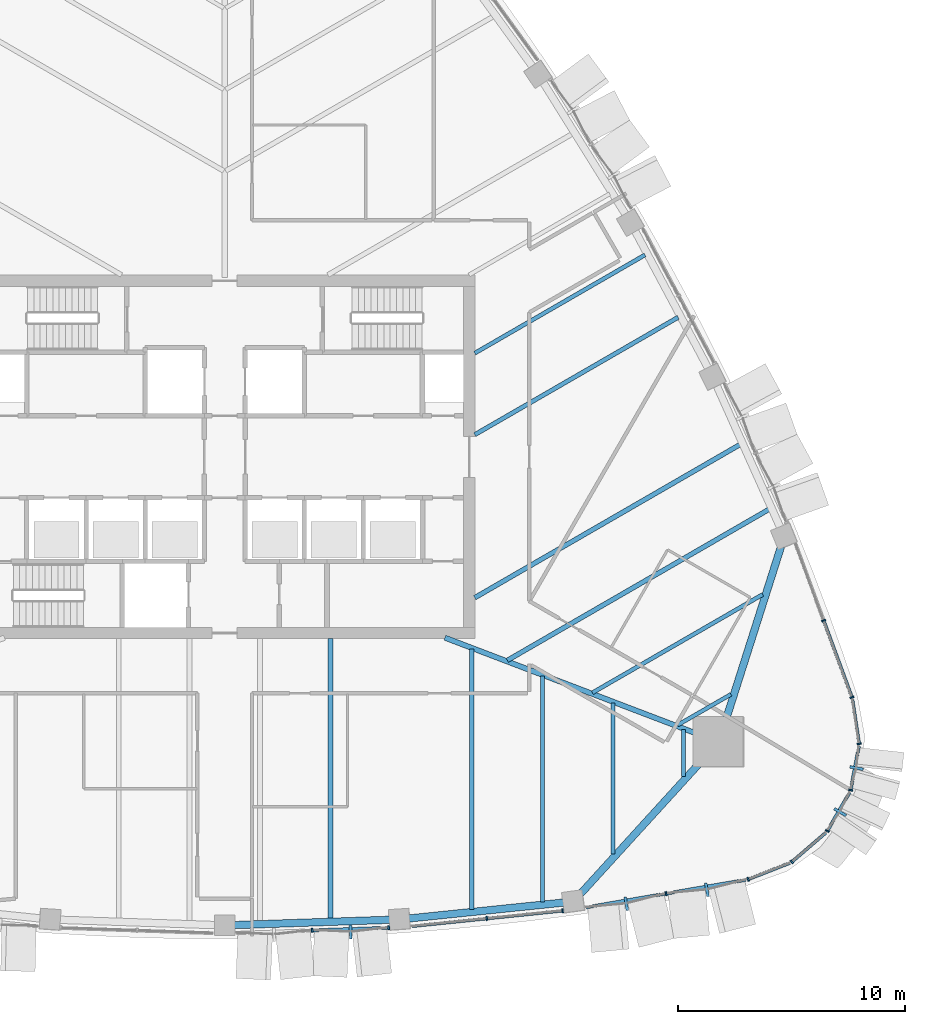
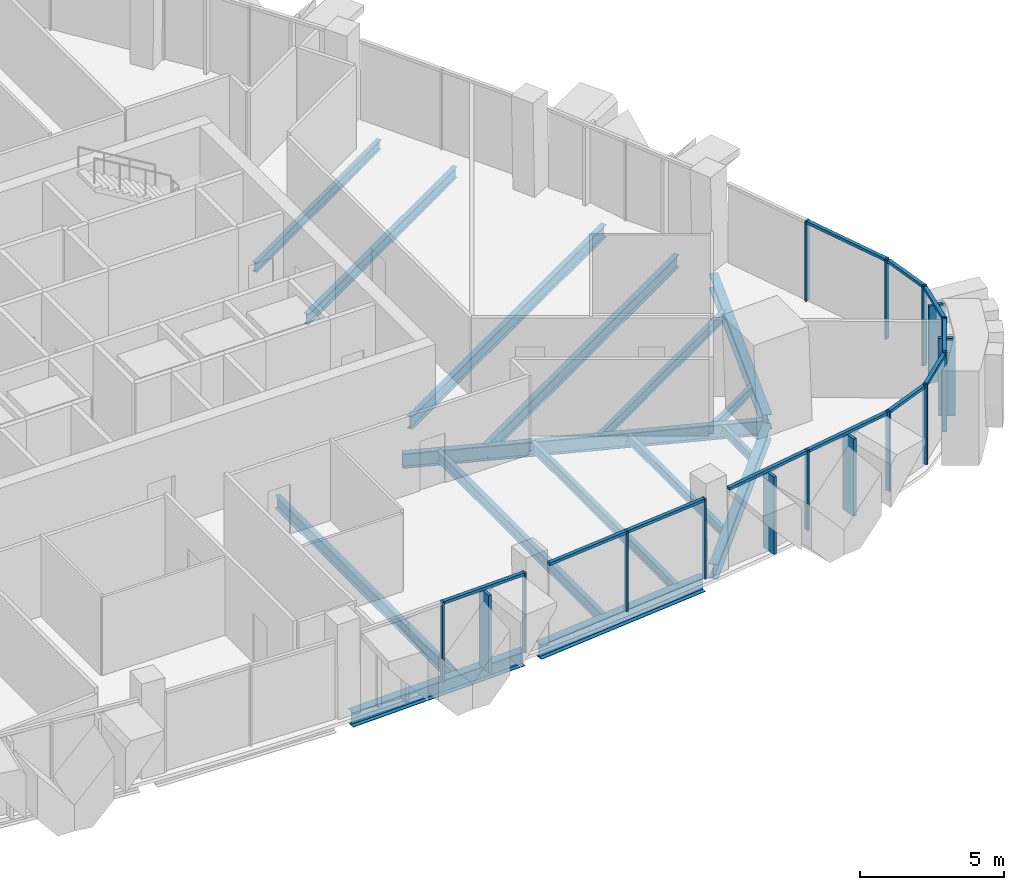
# One storey, part 4 of 18: 28 members, 16 beams, 9 elements without a shape of their own.
"""IFC4 building model written with IfcOpenShell, lengths in metres."""

from ifc_helpers import new_model, si_unit, direction, frame, origin, origin_2d, place, context, subcontext, project, spatial, rectangle, i_section, extrude, material, layer, layer_set, material_profile, profile_set, type_object, element, aggregate, save


model = new_model("IFC4")

# Units and contexts
model_context = context("Model", 3, precision=1e-05, world=origin(), true_north=direction((0.0, 1.0)))
body_context = subcontext(model_context, "Body", "Model", "MODEL_VIEW")
ifc_project = project(units=[si_unit("LENGTHUNIT", "METRE"), si_unit("AREAUNIT", "SQUARE_METRE"), si_unit("VOLUMEUNIT", "CUBIC_METRE"), si_unit("PLANEANGLEUNIT", "RADIAN"), si_unit("MASSUNIT", "GRAM", prefix="KILO")], contexts=[model_context])

# Site, building, storey
site_placement = place(None, origin())
site = spatial("IfcSite", under=ifc_project, at=site_placement, CompositionType="ELEMENT")
building_placement = place(site_placement, origin())
building = spatial("IfcBuilding", under=site, at=building_placement, Name="Sierra Prisma Convention Tower", CompositionType="ELEMENT")
storey_placement = place(building_placement, frame((0.0, 0.0, 251.0)))
storey = spatial("IfcBuildingStorey", under=building, at=storey_placement, Name="L56", CompositionType="ELEMENT", Elevation=251.0)

# Curtain wall, member
ifc_material_1 = material(Name="Aluminium and glass curtain wall", Category="aluminium")
ifc_layer_1 = layer(ifc_material_1, 0.179931640625)
ifc_layer_set_1 = layer_set([ifc_layer_1], Name="CW-2 Faceted crystal curtain wall")
curtain_wall_type_1 = type_object("IfcCurtainWallType", Name="CW-2 Faceted crystal curtain wall", PredefinedType="NOTDEFINED", material=ifc_layer_set_1)
curtain_wall_1_placement = place(storey_placement, origin())
curtain_wall_1 = element("IfcCurtainWall", 1, at=curtain_wall_1_placement, inside=storey, type_object=curtain_wall_type_1, Name="CW-2 S4 L56", PredefinedType="NOTDEFINED")
ifc_material_2 = material(Name="Aluminium 6063-T6 bronze anodised", Category="aluminium")
ifc_material_profile_1 = material_profile(ifc_material_2, rectangle(XDim=0.1201171875, YDim=0.60009765625, at=origin_2d()), Name="ALU RIDGE BLADE 120x600")
ifc_profile_set_1 = profile_set([ifc_material_profile_1], Name="Aluminium 6063-T6 bronze anodised")
member_type_1 = type_object("IfcMemberType", Name="CW hip bronze", PredefinedType="MULLION", material=ifc_profile_set_1)
member_1_placement = place(storey_placement, frame((5.537109375, -20.90478515625, 0.0), z_axis=(0.0, 0.0, 1.0), x_axis=(0.999415563919, 0.034183776803, 0.0)))
member_1 = element("IfcMember", 2, at=member_1_placement, type_object=member_type_1, Name="CW-2 ridge S4.2", PredefinedType="MULLION", context=body_context, shape_type="SweptSolid", body=[
    extrude(rectangle(XDim=0.1201171875, YDim=0.60009765625, at=origin_2d()), origin(), (0.0, 0.0, 1.0), 3.280029296875),
])

# Curtain wall, members
curtain_wall_2_placement = place(storey_placement, origin())
curtain_wall_2 = element("IfcCurtainWall", 3, at=curtain_wall_2_placement, inside=storey, type_object=curtain_wall_type_1, Name="CW-2 S6 L56", PredefinedType="NOTDEFINED")
member_2_placement = place(storey_placement, frame((17.663330078125, -19.65869140625, 0.0), z_axis=(0.0, 0.0, 1.0), x_axis=(0.985423226592, 0.170120735044, 0.0)))
member_2 = element("IfcMember", 4, at=member_2_placement, type_object=member_type_1, Name="CW-2 ridge S6.1", PredefinedType="MULLION", context=body_context, shape_type="SweptSolid", body=[
    extrude(rectangle(XDim=0.1201171875, YDim=0.60009765625, at=origin_2d()), origin(), (0.0, 0.0, 1.0), 3.280029296875),
])
member_3_placement = place(storey_placement, frame((21.20947265625, -19.04638671875, 0.0), z_axis=(0.0, 0.0, 1.0), x_axis=(0.985423226592, 0.170120735044, 0.0)))
member_3 = element("IfcMember", 5, at=member_3_placement, type_object=member_type_1, Name="CW-2 ridge S6.2", PredefinedType="MULLION", context=body_context, shape_type="SweptSolid", body=[
    extrude(rectangle(XDim=0.1201171875, YDim=0.60009765625, at=origin_2d()), origin(), (0.0, 0.0, 1.0), 3.280029296875),
])

# Curtain wall, member
curtain_wall_3_placement = place(storey_placement, origin())
curtain_wall_3 = element("IfcCurtainWall", 6, at=curtain_wall_3_placement, inside=storey, type_object=curtain_wall_type_1, Name="CW-2 SE3 L56", PredefinedType="NOTDEFINED")
member_4_placement = place(storey_placement, frame((27.07568359375, -15.632080078125, 0.0), z_axis=(0.0, 0.0, 1.0), x_axis=(0.5, 0.866025403784, 0.0)))
member_4 = element("IfcMember", 7, at=member_4_placement, type_object=member_type_1, Name="CW-2 ridge SE3.1", PredefinedType="MULLION", context=body_context, shape_type="SweptSolid", body=[
    extrude(rectangle(XDim=0.1201171875, YDim=0.60009765625, at=origin_2d()), origin(), (0.0, 0.0, 1.0), 3.280029296875),
])

curtain_wall_4_placement = place(storey_placement, origin())
curtain_wall_4 = element("IfcCurtainWall", 8, at=curtain_wall_4_placement, inside=storey, type_object=curtain_wall_type_1, Name="CW-2 SE4 L56", PredefinedType="NOTDEFINED")
member_5_placement = place(storey_placement, frame((27.79443359375, -13.693603515625, 0.0), z_axis=(0.0, 0.0, 1.0), x_axis=(0.185692729038, 0.982607861958, 0.0)))
member_5 = element("IfcMember", 9, at=member_5_placement, type_object=member_type_1, Name="CW-2 ridge SE4.1", PredefinedType="MULLION", context=body_context, shape_type="SweptSolid", body=[
    extrude(rectangle(XDim=0.1201171875, YDim=0.60009765625, at=origin_2d()), origin(), (0.0, 0.0, 1.0), 3.280029296875),
])

# Member
ifc_material_3 = material(Name="Aluminium 6063-T6 bronze anodised", Category="aluminium")
ifc_material_profile_2 = material_profile(ifc_material_3, rectangle(XDim=0.179931640625, YDim=0.070068359375, at=origin_2d()), Name="ALU MULLION 70x180")
ifc_profile_set_2 = profile_set([ifc_material_profile_2], Name="Aluminium 6063-T6 bronze anodised")
member_type_2 = type_object("IfcMemberType", Name="CW mullion bronze", PredefinedType="MULLION", material=ifc_profile_set_2)
member_6_placement = place(storey_placement, frame((3.85009765625, -20.83251953125, 0.0), z_axis=(0.0, 0.0, 1.0), x_axis=(-0.034183776803, 0.999415563919, 0.0)))
member_6 = element("IfcMember", 10, at=member_6_placement, type_object=member_type_2, Name="CW-1 mullion S4.2", PredefinedType="MULLION", context=body_context, shape_type="SweptSolid", body=[
    extrude(rectangle(XDim=0.179931640625, YDim=0.070068359375, at=origin_2d()), origin(), (0.0, 0.0, 1.0), 3.39990234375),
])

member_7_placement = place(storey_placement, frame((7.215576171875, -20.717529296875, 0.0), z_axis=(0.0, 0.0, 1.0), x_axis=(-0.034183776803, 0.999415563919, 0.0)))
member_7 = element("IfcMember", 11, at=member_7_placement, type_object=member_type_2, Name="CW-1 mullion S4.3", PredefinedType="MULLION", context=body_context, shape_type="SweptSolid", body=[
    extrude(rectangle(XDim=0.179931640625, YDim=0.070068359375, at=origin_2d()), origin(), (0.0, 0.0, 1.0), 3.39990234375),
])

# Curtain wall, members
ifc_material_4 = material(Name="Aluminium and glass curtain wall", Category="aluminium")
ifc_layer_2 = layer(ifc_material_4, 0.179931640625)
ifc_layer_set_2 = layer_set([ifc_layer_2], Name="CW-1 Plain shaft curtain wall")
curtain_wall_type_2 = type_object("IfcCurtainWallType", Name="CW-1 Plain shaft curtain wall", PredefinedType="NOTDEFINED", material=ifc_layer_set_2)
curtain_wall_5_placement = place(storey_placement, origin())
curtain_wall_5 = element("IfcCurtainWall", 12, at=curtain_wall_5_placement, inside=storey, type_object=curtain_wall_type_2, Name="CW-1 S5 L56", PredefinedType="NOTDEFINED")
member_8_placement = place(storey_placement, frame((11.52880859375, -20.3076171875, 0.0), z_axis=(0.0, 0.0, 1.0), x_axis=(-0.102391551236, 0.99474417326, 0.0)))
member_8 = element("IfcMember", 13, at=member_8_placement, type_object=member_type_2, Name="CW-1 mullion S5.2", PredefinedType="MULLION", context=body_context, shape_type="SweptSolid", body=[
    extrude(rectangle(XDim=0.179931640625, YDim=0.070068359375, at=origin_2d()), origin(), (0.0, 0.0, 1.0), 3.39990234375),
])
member_9_placement = place(storey_placement, frame((14.862548828125, -19.964599609375, 0.0), z_axis=(0.0, 0.0, 1.0), x_axis=(-0.102391551236, 0.99474417326, 0.0)))
member_9 = element("IfcMember", 14, at=member_9_placement, type_object=member_type_2, Name="CW-1 mullion S5.3", PredefinedType="MULLION", context=body_context, shape_type="SweptSolid", body=[
    extrude(rectangle(XDim=0.179931640625, YDim=0.070068359375, at=origin_2d()), origin(), (0.0, 0.0, 1.0), 3.39990234375),
])

# Member
member_10_placement = place(storey_placement, frame((19.412841796875, -19.215576171875, 0.0), z_axis=(0.0, 0.0, 1.0), x_axis=(-0.170120735044, 0.985423226592, 0.0)))
member_10 = element("IfcMember", 15, at=member_10_placement, type_object=member_type_2, Name="CW-1 mullion S6.2", PredefinedType="MULLION", context=body_context, shape_type="SweptSolid", body=[
    extrude(rectangle(XDim=0.179931640625, YDim=0.070068359375, at=origin_2d()), origin(), (0.0, 0.0, 1.0), 3.39990234375),
])

# Curtain wall, member
curtain_wall_6_placement = place(storey_placement, origin())
curtain_wall_6 = element("IfcCurtainWall", 16, at=curtain_wall_6_placement, inside=storey, type_object=curtain_wall_type_2, Name="CW-1 SE1 L56", PredefinedType="NOTDEFINED")
member_11_placement = place(storey_placement, frame((23.02587890625, -18.584716796875, 0.0), z_axis=(0.0, 0.0, 1.0), x_axis=(-0.364926270923, 0.931036420765, 0.0)))
member_11 = element("IfcMember", 17, at=member_11_placement, type_object=member_type_2, Name="CW-1 mullion SE1.1", PredefinedType="MULLION", context=body_context, shape_type="SweptSolid", body=[
    extrude(rectangle(XDim=0.179931640625, YDim=0.070068359375, at=origin_2d()), origin(), (0.0, 0.0, 1.0), 3.39990234375),
])

curtain_wall_7_placement = place(storey_placement, origin())
curtain_wall_7 = element("IfcCurtainWall", 18, at=curtain_wall_7_placement, inside=storey, type_object=curtain_wall_type_2, Name="CW-1 SE2 L56", PredefinedType="NOTDEFINED")
member_12_placement = place(storey_placement, frame((24.9482421875, -17.81884765625, 0.0), z_axis=(0.0, 0.0, 1.0), x_axis=(-0.652118551624, 0.758117005895, 0.0)))
member_12 = element("IfcMember", 19, at=member_12_placement, type_object=member_type_2, Name="CW-1 mullion SE2.1", PredefinedType="MULLION", context=body_context, shape_type="SweptSolid", body=[
    extrude(rectangle(XDim=0.179931640625, YDim=0.070068359375, at=origin_2d()), origin(), (0.0, 0.0, 1.0), 3.39990234375),
])

# Member
member_13_placement = place(storey_placement, frame((26.509521484375, -16.460693359375, 0.0), z_axis=(0.0, 0.0, 1.0), x_axis=(-0.866025403784, 0.5, 0.0)))
member_13 = element("IfcMember", 20, at=member_13_placement, type_object=member_type_2, Name="CW-1 mullion SE3.1", PredefinedType="MULLION", context=body_context, shape_type="SweptSolid", body=[
    extrude(rectangle(XDim=0.179931640625, YDim=0.070068359375, at=origin_2d()), origin(), (0.0, 0.0, 1.0), 3.39990234375),
])

member_14_placement = place(storey_placement, frame((27.5341796875, -14.662841796875, 0.0), z_axis=(0.0, 0.0, 1.0), x_axis=(-0.982607861958, 0.185692729038, 0.0)))
member_14 = element("IfcMember", 21, at=member_14_placement, type_object=member_type_2, Name="CW-1 mullion SE4.1", PredefinedType="MULLION", context=body_context, shape_type="SweptSolid", body=[
    extrude(rectangle(XDim=0.179931640625, YDim=0.070068359375, at=origin_2d()), origin(), (0.0, 0.0, 1.0), 3.39990234375),
])

# Curtain wall, member
curtain_wall_8_placement = place(storey_placement, origin())
curtain_wall_8 = element("IfcCurtainWall", 22, at=curtain_wall_8_placement, inside=storey, type_object=curtain_wall_type_2, Name="CW-1 SE5 L56", PredefinedType="NOTDEFINED")
member_15_placement = place(storey_placement, frame((27.906982421875, -12.62744140625, 0.0), z_axis=(0.0, 0.0, 1.0), x_axis=(-0.988764327692, -0.149482789255, 0.0)))
member_15 = element("IfcMember", 23, at=member_15_placement, type_object=member_type_2, Name="CW-1 mullion SE5.1", PredefinedType="MULLION", context=body_context, shape_type="SweptSolid", body=[
    extrude(rectangle(XDim=0.179931640625, YDim=0.070068359375, at=origin_2d()), origin(), (0.0, 0.0, 1.0), 3.39990234375),
])

# Curtain wall, members
curtain_wall_9_placement = place(storey_placement, origin())
curtain_wall_9 = element("IfcCurtainWall", 24, at=curtain_wall_9_placement, inside=storey, type_object=curtain_wall_type_2, Name="CW-1 NE1 L56", PredefinedType="NOTDEFINED")
member_16_placement = place(storey_placement, frame((27.590576171875, -10.5810546875, 0.0), z_axis=(0.0, 0.0, 1.0), x_axis=(-0.938461915231, -0.345382735037, 0.0)))
member_16 = element("IfcMember", 25, at=member_16_placement, type_object=member_type_2, Name="CW-1 mullion NE1.1", PredefinedType="MULLION", context=body_context, shape_type="SweptSolid", body=[
    extrude(rectangle(XDim=0.179931640625, YDim=0.070068359375, at=origin_2d()), origin(), (0.0, 0.0, 1.0), 3.39990234375),
])
member_17_placement = place(storey_placement, frame((26.34765625, -7.2041015625, 0.0), z_axis=(0.0, 0.0, 1.0), x_axis=(-0.938461915231, -0.345382735037, 0.0)))
member_17 = element("IfcMember", 26, at=member_17_placement, type_object=member_type_2, Name="CW-1 mullion NE1.2", PredefinedType="MULLION", context=body_context, shape_type="SweptSolid", body=[
    extrude(rectangle(XDim=0.179931640625, YDim=0.070068359375, at=origin_2d()), origin(), (0.0, 0.0, 1.0), 3.39990234375),
])

# Member
ifc_material_5 = material(Name="Aluminium 6063-T6 bronze anodised", Category="aluminium")
ifc_material_profile_3 = material_profile(ifc_material_5, rectangle(XDim=0.139892578125, YDim=0.1201171875, at=origin_2d()), Name="ALU TRANSOM 120x140")
ifc_profile_set_3 = profile_set([ifc_material_profile_3], Name="Aluminium 6063-T6 bronze anodised")
member_type_3 = type_object("IfcMemberType", Name="CW transom bronze", PredefinedType="USERDEFINED", material=ifc_profile_set_3)
member_18_placement = place(storey_placement, frame((3.885009765625, -20.831298828125, 3.340087890625), z_axis=(0.99941728892, 0.03413330643, 0.0), x_axis=(-0.03413330643, 0.99941728892, 0.0)))
member_18 = element("IfcMember", 27, at=member_18_placement, type_object=member_type_3, Name="CW-1 transom S4.2", ObjectType="TRANSOM", PredefinedType="USERDEFINED", context=body_context, shape_type="SweptSolid", body=[
    extrude(rectangle(XDim=0.139892578125, YDim=0.1201171875, at=origin_2d()), origin(), (0.0, 0.0, 1.0), 3.29736328125),
])

aggregate(curtain_wall_1, [member_6, member_7, member_18, member_1])

member_19_placement = place(storey_placement, frame((8.229736328125, -20.647216796875, 3.340087890625), z_axis=(0.994745750521, 0.10237622683, 0.0), x_axis=(-0.10237622683, 0.994745750521, 0.0)))
member_19 = element("IfcMember", 28, at=member_19_placement, type_object=member_type_3, Name="CW-1 transom S5.1", ObjectType="TRANSOM", PredefinedType="USERDEFINED", context=body_context, shape_type="SweptSolid", body=[
    extrude(rectangle(XDim=0.139892578125, YDim=0.1201171875, at=origin_2d()), origin(), (0.0, 0.0, 1.0), 3.281494140625),
])

member_20_placement = place(storey_placement, frame((11.5634765625, -20.30419921875, 3.340087890625), z_axis=(0.994738170949, 0.102449847524, 0.0), x_axis=(-0.102449847524, 0.994738170949, 0.0)))
member_20 = element("IfcMember", 29, at=member_20_placement, type_object=member_type_3, Name="CW-1 transom S5.2", ObjectType="TRANSOM", PredefinedType="USERDEFINED", context=body_context, shape_type="SweptSolid", body=[
    extrude(rectangle(XDim=0.139892578125, YDim=0.1201171875, at=origin_2d()), origin(), (0.0, 0.0, 1.0), 3.281494140625),
])

aggregate(curtain_wall_5, [member_8, member_9, member_19, member_20])

member_21_placement = place(storey_placement, frame((15.901123046875, -19.82177734375, 3.340087890625), z_axis=(0.985431338238, 0.170073741707, 0.0), x_axis=(-0.170073741707, 0.985431338238, 0.0)))
member_21 = element("IfcMember", 30, at=member_21_placement, type_object=member_type_3, Name="CW-1 transom S6.1", ObjectType="TRANSOM", PredefinedType="USERDEFINED", context=body_context, shape_type="SweptSolid", body=[
    extrude(rectangle(XDim=0.139892578125, YDim=0.1201171875, at=origin_2d()), origin(), (0.0, 0.0, 1.0), 3.528564453125),
])

member_22_placement = place(storey_placement, frame((19.447265625, -19.209716796875, 3.340087890625), z_axis=(0.985419739795, 0.17014093106, 0.0), x_axis=(-0.17014093106, 0.985419739795, 0.0)))
member_22 = element("IfcMember", 31, at=member_22_placement, type_object=member_type_3, Name="CW-1 transom S6.2", ObjectType="TRANSOM", PredefinedType="USERDEFINED", context=body_context, shape_type="SweptSolid", body=[
    extrude(rectangle(XDim=0.139892578125, YDim=0.1201171875, at=origin_2d()), origin(), (0.0, 0.0, 1.0), 3.528564453125),
])

aggregate(curtain_wall_2, [member_10, member_21, member_2, member_22, member_3])

member_23_placement = place(storey_placement, frame((23.058349609375, -18.572021484375, 3.340087890625), z_axis=(0.931026264105, 0.364952182549, 0.0), x_axis=(-0.364952182549, 0.931026264105, 0.0)))
member_23 = element("IfcMember", 32, at=member_23_placement, type_object=member_type_3, Name="CW-1 transom SE1.1", ObjectType="TRANSOM", PredefinedType="USERDEFINED", context=body_context, shape_type="SweptSolid", body=[
    extrude(rectangle(XDim=0.139892578125, YDim=0.1201171875, at=origin_2d()), origin(), (0.0, 0.0, 1.0), 1.931396484375),
])

aggregate(curtain_wall_6, [member_11, member_23])

member_24_placement = place(storey_placement, frame((24.974853515625, -17.796142578125, 3.340087890625), z_axis=(0.758086448141, 0.652154074697, 0.0), x_axis=(-0.652154074697, 0.758086448141, 0.0)))
member_24 = element("IfcMember", 33, at=member_24_placement, type_object=member_type_3, Name="CW-1 transom SE2.1", ObjectType="TRANSOM", PredefinedType="USERDEFINED", context=body_context, shape_type="SweptSolid", body=[
    extrude(rectangle(XDim=0.139892578125, YDim=0.1201171875, at=origin_2d()), origin(), (0.0, 0.0, 1.0), 1.931396484375),
])

aggregate(curtain_wall_7, [member_12, member_24])

member_25_placement = place(storey_placement, frame((26.52685546875, -16.430419921875, 3.340087890625), z_axis=(0.500054350137, 0.865994022444, 0.0), x_axis=(-0.865994022444, 0.500054350137, 0.0)))
member_25 = element("IfcMember", 34, at=member_25_placement, type_object=member_type_3, Name="CW-1 transom SE3.1", ObjectType="TRANSOM", PredefinedType="USERDEFINED", context=body_context, shape_type="SweptSolid", body=[
    extrude(rectangle(XDim=0.139892578125, YDim=0.1201171875, at=origin_2d()), origin(), (0.0, 0.0, 1.0), 1.931396484375),
])

aggregate(curtain_wall_3, [member_13, member_25, member_4])

member_26_placement = place(storey_placement, frame((27.54052734375, -14.62841796875, 3.340087890625), z_axis=(0.18570035161, 0.982606421418, 0.0), x_axis=(-0.982606421418, 0.18570035161, 0.0)))
member_26 = element("IfcMember", 35, at=member_26_placement, type_object=member_type_3, Name="CW-1 transom SE4.1", ObjectType="TRANSOM", PredefinedType="USERDEFINED", context=body_context, shape_type="SweptSolid", body=[
    extrude(rectangle(XDim=0.139892578125, YDim=0.1201171875, at=origin_2d()), origin(), (0.0, 0.0, 1.0), 1.931396484375),
])

aggregate(curtain_wall_4, [member_14, member_26, member_5])

member_27_placement = place(storey_placement, frame((27.901611328125, -12.5927734375, 3.340087890625), z_axis=(-0.149415926956, 0.988774433717, 0.0), x_axis=(-0.988774433717, -0.149415926956, 0.0)))
member_27 = element("IfcMember", 36, at=member_27_placement, type_object=member_type_3, Name="CW-1 transom SE5.1", ObjectType="TRANSOM", PredefinedType="USERDEFINED", context=body_context, shape_type="SweptSolid", body=[
    extrude(rectangle(XDim=0.139892578125, YDim=0.1201171875, at=origin_2d()), origin(), (0.0, 0.0, 1.0), 1.931396484375),
])

aggregate(curtain_wall_8, [member_15, member_27])

member_28_placement = place(storey_placement, frame((27.578369140625, -10.54833984375, 3.340087890625), z_axis=(-0.345407140143, 0.938452933044, 0.0), x_axis=(-0.938452933044, -0.345407140143, 0.0)))
member_28 = element("IfcMember", 37, at=member_28_placement, type_object=member_type_3, Name="CW-1 transom NE1.1", ObjectType="TRANSOM", PredefinedType="USERDEFINED", context=body_context, shape_type="SweptSolid", body=[
    extrude(rectangle(XDim=0.139892578125, YDim=0.1201171875, at=origin_2d()), origin(), (0.0, 0.0, 1.0), 3.528564453125),
])

aggregate(curtain_wall_9, [member_16, member_17, member_28])

# Beams
ifc_material_6 = material(Name="Steel ASTM A992 Gr 50", Category="steel")
ifc_material_profile_4 = material_profile(ifc_material_6, i_section(OverallWidth=0.172119140625, OverallDepth=0.35791015625, WebThickness=0.0078125, FlangeThickness=0.01318359375, at=origin_2d()), Name="W360x57")
ifc_profile_set_4 = profile_set([ifc_material_profile_4], Name="Steel ASTM A992 Gr 50")
beam_type_1 = type_object("IfcBeamType", Name="Floor joist W360x57", PredefinedType="JOIST", material=ifc_profile_set_4)
beam_1_placement = place(storey_placement, frame((17.0771484375, -17.467529296875, -0.3291015625), z_axis=(0.0, 1.0, 0.0), x_axis=(-1.0, 0.0, 0.0)))
element("IfcBeam", 38, at=beam_1_placement, inside=storey, type_object=beam_type_1, Name="Floor joist L56 S13", PredefinedType="JOIST", context=body_context, shape_type="SweptSolid", body=[
    extrude(i_section(OverallWidth=0.172119140625, OverallDepth=0.35791015625, WebThickness=0.0078125, FlangeThickness=0.01318359375, at=origin_2d()), origin(), (0.0, 0.0, 1.0), 6.644775390625),
])
beam_2_placement = place(storey_placement, frame((20.18212890625, -14.060546875, -0.3291015625), z_axis=(0.0, 1.0, 0.0), x_axis=(-1.0, 0.0, 0.0)))
element("IfcBeam", 39, at=beam_2_placement, inside=storey, type_object=beam_type_1, Name="Floor joist L56 S14", PredefinedType="JOIST", context=body_context, shape_type="SweptSolid", body=[
    extrude(i_section(OverallWidth=0.172119140625, OverallDepth=0.35791015625, WebThickness=0.0078125, FlangeThickness=0.01318359375, at=origin_2d()), origin(), (0.0, 0.0, 1.0), 2.054443359375),
])
beam_3_placement = place(storey_placement, frame((22.26806640625, -10.447998046875, -0.3291015625), z_axis=(-0.866016445914, -0.500015515166, 0.0), x_axis=(0.500015515166, -0.866016445914, 0.0)))
element("IfcBeam", 40, at=beam_3_placement, inside=storey, type_object=beam_type_1, Name="Floor joist L56 NE01", PredefinedType="JOIST", context=body_context, shape_type="SweptSolid", body=[
    extrude(i_section(OverallWidth=0.172119140625, OverallDepth=0.35791015625, WebThickness=0.0078125, FlangeThickness=0.01318359375, at=origin_2d()), origin(), (0.0, 0.0, 1.0), 2.71630859375),
])
ifc_material_7 = material(Name="Steel ASTM A992 Gr 50", Category="steel")
ifc_material_profile_5 = material_profile(ifc_material_7, i_section(OverallWidth=0.177978515625, OverallDepth=0.406982421875, WebThickness=0.0078125, FlangeThickness=0.0126953125, at=origin_2d()), Name="W410x60")
ifc_profile_set_5 = profile_set([ifc_material_profile_5], Name="Steel ASTM A992 Gr 50")
beam_type_2 = type_object("IfcBeamType", Name="Floor joist W410x60", PredefinedType="JOIST", material=ifc_profile_set_5)
beam_4_placement = place(storey_placement, frame((13.97216796875, -19.591064453125, -0.353515625), z_axis=(0.0, 1.0, 0.0), x_axis=(-1.0, 0.0, 0.0)))
element("IfcBeam", 41, at=beam_4_placement, inside=storey, type_object=beam_type_2, Name="Floor joist L56 S12", PredefinedType="JOIST", context=body_context, shape_type="SweptSolid", body=[
    extrude(i_section(OverallWidth=0.177978515625, OverallDepth=0.406982421875, WebThickness=0.0078125, FlangeThickness=0.0126953125, at=origin_2d()), origin(), (0.0, 0.0, 1.0), 9.95166015625),
])
beam_5_placement = place(storey_placement, frame((23.665771484375, -6.0556640625, -0.353515625), z_axis=(-0.866028593262, -0.499994475622, 0.0), x_axis=(0.499994475622, -0.866028593262, 0.0)))
element("IfcBeam", 42, at=beam_5_placement, inside=storey, type_object=beam_type_2, Name="Floor joist L56 NE02", PredefinedType="JOIST", context=body_context, shape_type="SweptSolid", body=[
    extrude(i_section(OverallWidth=0.177978515625, OverallDepth=0.406982421875, WebThickness=0.0078125, FlangeThickness=0.0126953125, at=origin_2d()), origin(), (0.0, 0.0, 1.0), 8.6494140625),
])
beam_6_placement = place(storey_placement, frame((18.485107421875, 8.8798828125, -0.353515625), z_axis=(-0.866012951027, -0.500021568188, 0.0), x_axis=(0.500021568188, -0.866012951027, 0.0)))
element("IfcBeam", 43, at=beam_6_placement, inside=storey, type_object=beam_type_2, Name="Floor joist L56 NE07", PredefinedType="JOIST", context=body_context, shape_type="SweptSolid", body=[
    extrude(i_section(OverallWidth=0.177978515625, OverallDepth=0.406982421875, WebThickness=0.0078125, FlangeThickness=0.0126953125, at=origin_2d()), origin(), (0.0, 0.0, 1.0), 8.64306640625),
])
ifc_material_8 = material(Name="Steel ASTM A992 Gr 50", Category="steel")
ifc_material_profile_6 = material_profile(ifc_material_8, i_section(OverallWidth=0.18994140625, OverallDepth=0.45703125, WebThickness=0.009033203125, FlangeThickness=0.014404296875, at=origin_2d()), Name="W460x74")
ifc_profile_set_6 = profile_set([ifc_material_profile_6], Name="Steel ASTM A992 Gr 50")
beam_type_3 = type_object("IfcBeamType", Name="Floor joist W460x74", PredefinedType="JOIST", material=ifc_profile_set_6)
beam_7_placement = place(storey_placement, frame((10.867431640625, -19.91064453125, -0.37841796875), z_axis=(0.0, 1.0, 0.0), x_axis=(-1.0, 0.0, 0.0)))
element("IfcBeam", 44, at=beam_7_placement, inside=storey, type_object=beam_type_3, Name="Floor joist L56 S11", PredefinedType="JOIST", context=body_context, shape_type="SweptSolid", body=[
    extrude(i_section(OverallWidth=0.18994140625, OverallDepth=0.45703125, WebThickness=0.009033203125, FlangeThickness=0.014404296875, at=origin_2d()), origin(), (0.0, 0.0, 1.0), 11.45458984375),
])
beam_8_placement = place(storey_placement, frame((19.94580078125, 6.1376953125, -0.37841796875), z_axis=(-0.866028152303, -0.499995239396, 0.0), x_axis=(0.499995239396, -0.866028152303, 0.0)))
element("IfcBeam", 45, at=beam_8_placement, inside=storey, type_object=beam_type_3, Name="Floor joist L56 NE06", PredefinedType="JOIST", context=body_context, shape_type="SweptSolid", body=[
    extrude(i_section(OverallWidth=0.18994140625, OverallDepth=0.45703125, WebThickness=0.009033203125, FlangeThickness=0.014404296875, at=origin_2d()), origin(), (0.0, 0.0, 1.0), 10.32958984375),
])
ifc_material_9 = material(Name="Steel ASTM A992 Gr 50", Category="steel")
ifc_material_profile_7 = material_profile(ifc_material_9, i_section(OverallWidth=0.208984375, OverallDepth=0.532958984375, WebThickness=0.01025390625, FlangeThickness=0.015625, at=origin_2d()), Name="W530x92")
ifc_profile_set_7 = profile_set([ifc_material_profile_7], Name="Steel ASTM A992 Gr 50")
beam_type_4 = type_object("IfcBeamType", Name="Floor joist W530x92", PredefinedType="JOIST", material=ifc_profile_set_7)
beam_9_placement = place(storey_placement, frame((4.657470703125, -20.34228515625, -0.41650390625), z_axis=(0.0, 1.0, 0.0), x_axis=(-1.0, 0.0, 0.0)))
element("IfcBeam", 46, at=beam_9_placement, inside=storey, type_object=beam_type_4, Name="Floor joist L56 S09", PredefinedType="JOIST", context=body_context, shape_type="SweptSolid", body=[
    extrude(i_section(OverallWidth=0.208984375, OverallDepth=0.532958984375, WebThickness=0.01025390625, FlangeThickness=0.015625, at=origin_2d()), origin(), (0.0, 0.0, 1.0), 12.34228515625),
])
beam_10_placement = place(storey_placement, frame((23.95263671875, -2.3046875, -0.41650390625), z_axis=(-0.866023880463, -0.500002638461, 0.0), x_axis=(0.500002638461, -0.866023880463, 0.0)))
element("IfcBeam", 47, at=beam_10_placement, inside=storey, type_object=beam_type_4, Name="Floor joist L56 NE03", PredefinedType="JOIST", context=body_context, shape_type="SweptSolid", body=[
    extrude(i_section(OverallWidth=0.208984375, OverallDepth=0.532958984375, WebThickness=0.01025390625, FlangeThickness=0.015625, at=origin_2d()), origin(), (0.0, 0.0, 1.0), 13.30029296875),
])
beam_11_placement = place(storey_placement, frame((22.6767578125, 0.5439453125, -0.41650390625), z_axis=(-0.866021551494, -0.500006672304, 0.0), x_axis=(0.500006672304, -0.866021551494, 0.0)))
element("IfcBeam", 48, at=beam_11_placement, inside=storey, type_object=beam_type_4, Name="Floor joist L56 NE04", PredefinedType="JOIST", context=body_context, shape_type="SweptSolid", body=[
    extrude(i_section(OverallWidth=0.208984375, OverallDepth=0.532958984375, WebThickness=0.01025390625, FlangeThickness=0.015625, at=origin_2d()), origin(), (0.0, 0.0, 1.0), 13.483154296875),
])
ifc_material_10 = material(Name="Steel ASTM A992 Gr 50", Category="steel")
ifc_material_profile_8 = material_profile(ifc_material_10, i_section(OverallWidth=0.22998046875, OverallDepth=0.616943359375, WebThickness=0.01318359375, FlangeThickness=0.022216796875, at=origin_2d()), Name="W610x140")
ifc_profile_set_8 = profile_set([ifc_material_profile_8], Name="Steel ASTM A992 Gr 50")
beam_type_5 = type_object("IfcBeamType", Name="Radial girder W610x140", PredefinedType="BEAM", material=ifc_profile_set_8)
beam_12_placement = place(storey_placement, frame((21.5146484375, -12.464599609375, -0.45849609375), z_axis=(-0.93443699897, 0.356128480967, 0.0), x_axis=(-0.356128480967, -0.93443699897, 0.0)))
element("IfcBeam", 49, at=beam_12_placement, inside=storey, type_object=beam_type_5, Name="Radial girder L56 SE", PredefinedType="BEAM", context=body_context, shape_type="SweptSolid", body=[
    extrude(i_section(OverallWidth=0.22998046875, OverallDepth=0.616943359375, WebThickness=0.01318359375, FlangeThickness=0.022216796875, at=origin_2d()), origin(), (0.0, 0.0, 1.0), 12.656494140625),
])
ifc_material_11 = material(Name="Steel ASTM A992 Gr 50", Category="steel")
ifc_material_profile_9 = material_profile(ifc_material_11, i_section(OverallWidth=0.324951171875, OverallDepth=0.615966796875, WebThickness=0.013916015625, FlangeThickness=0.021484375, at=origin_2d()), Name="W610x174")
ifc_profile_set_9 = profile_set([ifc_material_profile_9], Name="Steel ASTM A992 Gr 50")
beam_type_6 = type_object("IfcBeamType", Name="Spandrel beam W610x174", PredefinedType="BEAM", material=ifc_profile_set_9)
beam_13_placement = place(storey_placement, frame((0.330078125, -20.60302734375, -0.4580078125), z_axis=(0.999415158265, 0.03419563467, 0.0), x_axis=(-0.03419563467, 0.999415158265, 0.0)))
element("IfcBeam", 50, at=beam_13_placement, inside=storey, type_object=beam_type_6, Name="Spandrel L56-04", PredefinedType="BEAM", context=body_context, shape_type="SweptSolid", body=[
    extrude(i_section(OverallWidth=0.324951171875, OverallDepth=0.615966796875, WebThickness=0.013916015625, FlangeThickness=0.021484375, at=origin_2d()), origin(), (0.0, 0.0, 1.0), 7.032470703125),
])
beam_14_placement = place(storey_placement, frame((8.01708984375, -20.3173828125, -0.4580078125), z_axis=(0.994745326885, 0.102380343035, 0.0), x_axis=(-0.102380343035, 0.994745326885, 0.0)))
element("IfcBeam", 51, at=beam_14_placement, inside=storey, type_object=beam_type_6, Name="Spandrel L56-05", PredefinedType="BEAM", context=body_context, shape_type="SweptSolid", body=[
    extrude(i_section(OverallWidth=0.324951171875, OverallDepth=0.615966796875, WebThickness=0.013916015625, FlangeThickness=0.021484375, at=origin_2d()), origin(), (0.0, 0.0, 1.0), 7.0322265625),
])
beam_15_placement = place(storey_placement, frame((15.655029296875, -19.21923828125, -0.4580078125), z_axis=(0.673606489707, 0.739090181929, 0.0), x_axis=(-0.739090181929, 0.673606489707, 0.0)))
element("IfcBeam", 52, at=beam_15_placement, inside=storey, type_object=beam_type_6, Name="Spandrel L56-06", PredefinedType="BEAM", context=body_context, shape_type="SweptSolid", body=[
    extrude(i_section(OverallWidth=0.324951171875, OverallDepth=0.615966796875, WebThickness=0.013916015625, FlangeThickness=0.021484375, at=origin_2d()), origin(), (0.0, 0.0, 1.0), 8.727783203125),
])
beam_16_placement = place(storey_placement, frame((21.8046875, -12.32861328125, -0.4580078125), z_axis=(0.30327355022, 0.952903538527, 0.0), x_axis=(-0.952903538527, 0.30327355022, 0.0)))
element("IfcBeam", 53, at=beam_16_placement, inside=storey, type_object=beam_type_6, Name="Spandrel L56-07", PredefinedType="BEAM", context=body_context, shape_type="SweptSolid", body=[
    extrude(i_section(OverallWidth=0.324951171875, OverallDepth=0.615966796875, WebThickness=0.013916015625, FlangeThickness=0.021484375, at=origin_2d()), origin(), (0.0, 0.0, 1.0), 8.794921875),
])

save(model, "model.ifc")
